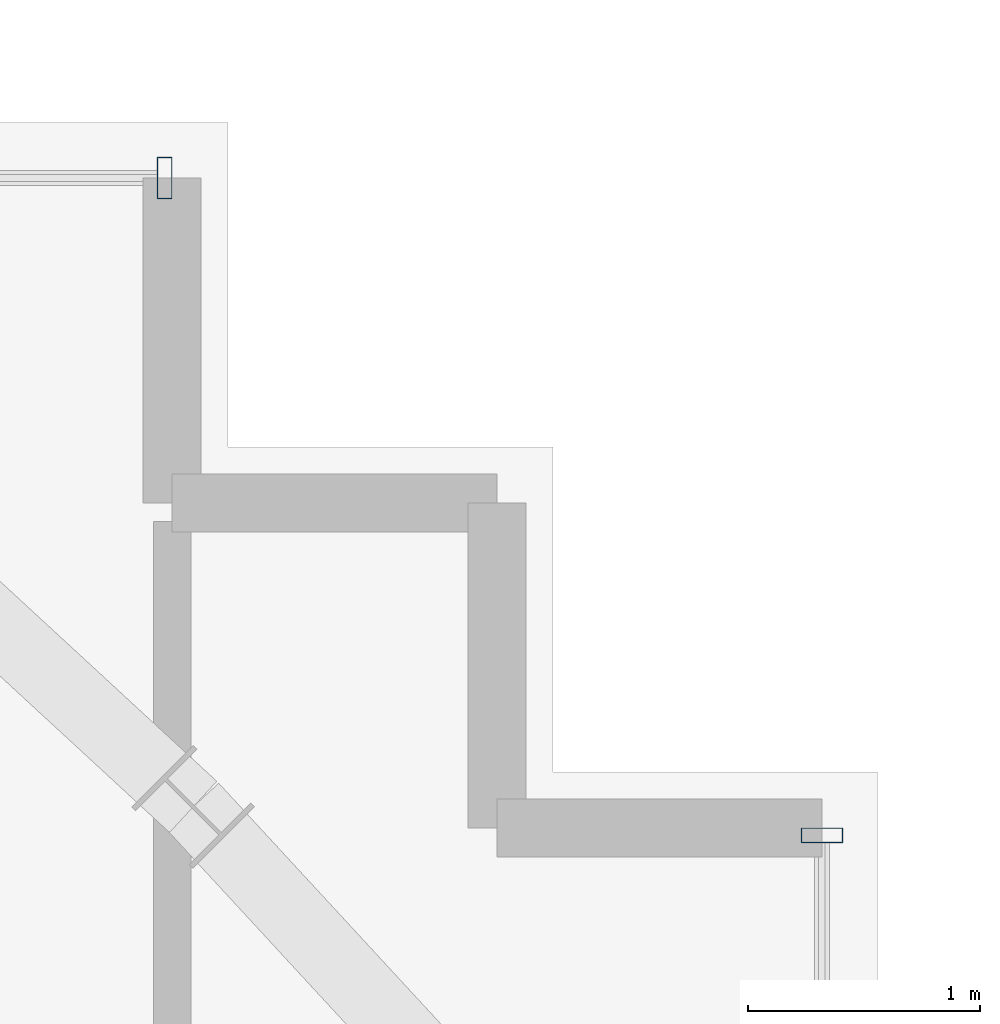
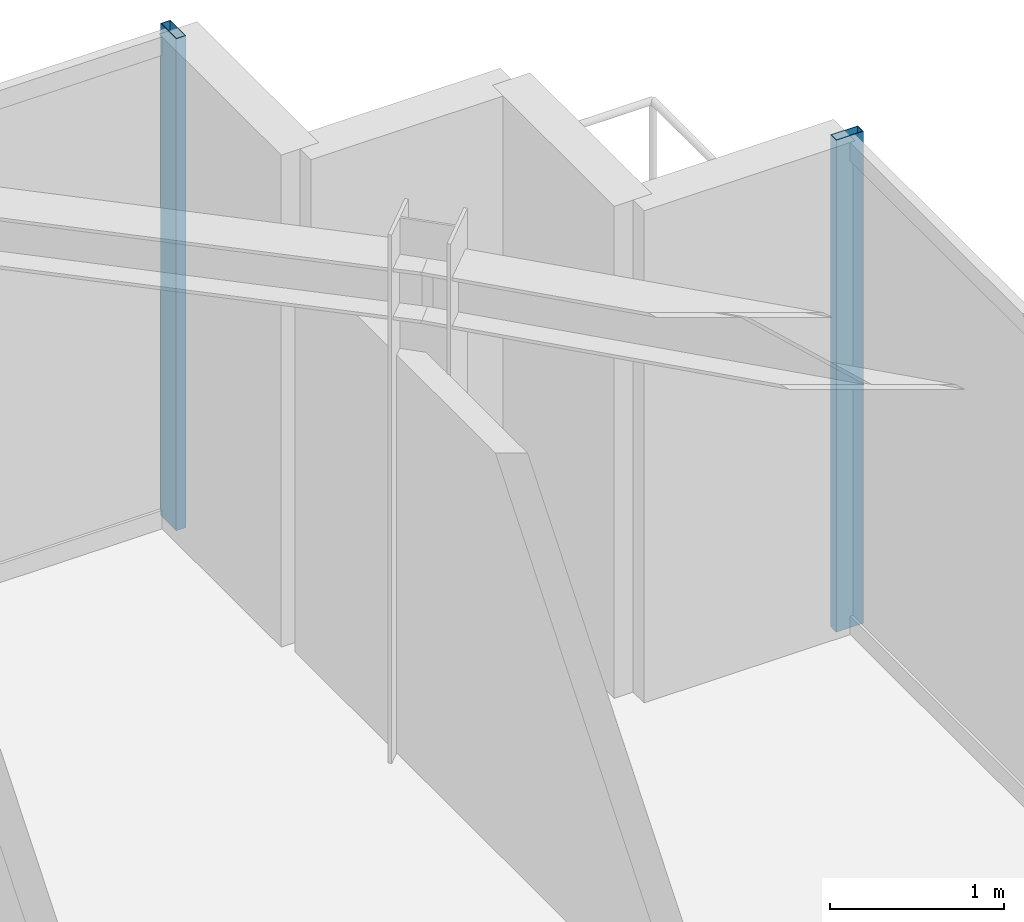
# One storey, part 22 of 32: 2 members, 2 elements without a shape of their own.
"""IFC4 building model written with IfcOpenShell, lengths in metres."""

from ifc_helpers import new_model, si_unit, direction, frame, origin, origin_2d, place, context, subcontext, project, spatial, hollow_rectangle, extrude, source, transform, mapped, material, material_profile, profile_set, type_object, element, aggregate, save


model = new_model("IFC4")

# Units and contexts
model_context = context("Model", 3, precision=1e-05, world=origin(), true_north=direction((0.0, 1.0)))
body_context = subcontext(model_context, "Body", "Model", "MODEL_VIEW")
ifc_project = project(units=[si_unit("LENGTHUNIT", "METRE"), si_unit("AREAUNIT", "SQUARE_METRE"), si_unit("VOLUMEUNIT", "CUBIC_METRE"), si_unit("PLANEANGLEUNIT", "RADIAN"), si_unit("MASSUNIT", "GRAM", prefix="KILO")], contexts=[model_context])

# Site, building, storey
site_placement = place(None, origin())
site = spatial("IfcSite", under=ifc_project, at=site_placement, CompositionType="ELEMENT")
building_placement = place(site_placement, origin())
building = spatial("IfcBuilding", under=site, at=building_placement, Name="Nahalor Promenade Grand Hotel", CompositionType="ELEMENT")
storey_placement = place(building_placement, frame((0.0, 0.0, 266.300048828125)))
storey = spatial("IfcBuildingStorey", under=building, at=storey_placement, Name="L68", CompositionType="ELEMENT", Elevation=266.300048828125)

# Curtain wall, member
ifc_material = material(Name="Anodised Bronze Aluminium EN AW-6063 T6", Category="aluminium")
curtain_wall_type = type_object("IfcCurtainWallType", Name="CW2 Typical Hotel Flush Bronze Unitised Curtain Wall", PredefinedType="USERDEFINED", material=ifc_material)
curtain_wall_1_placement = place(storey_placement, origin())
curtain_wall_1 = element("IfcCurtainWall", 1, at=curtain_wall_1_placement, inside=storey, type_object=curtain_wall_type, Name="L68 Curtain Wall CW-L68-N-3", ObjectType="UNITISED_CURTAIN_WALL", PredefinedType="USERDEFINED")
ifc_material_profile = material_profile(ifc_material, hollow_rectangle(XDim=0.065, YDim=0.18, WallThickness=0.004, at=origin_2d()), Name="CWM 65x180x4")
ifc_profile_set = profile_set([ifc_material_profile], Name="Anodised Bronze Aluminium EN AW-6063 T6")
member_type = type_object("IfcMemberType", Name="CWM2 Typical Bronze Mullion 65x180", PredefinedType="MULLION", material=ifc_profile_set)
shared_shape = source(origin(), body_context, "Body", "SweptSolid", [
    extrude(hollow_rectangle(XDim=0.065, YDim=0.18, WallThickness=0.004, at=origin_2d()), origin(), (0.0, 0.0, 1.0), 3.449951171875),
])
member_1_placement = place(storey_placement, frame((19.7275390625, 22.56005859375, 0.0), z_axis=(0.0, 0.0, 1.0), x_axis=(1.0, 0.0, 0.0)))
member_1 = element("IfcMember", 2, at=member_1_placement, type_object=member_type, Name="CW-L68-N-3 Mullion 2", PredefinedType="MULLION", context=body_context, shape_type="MappedRepresentation", body=[
    mapped(shared_shape, transform((0.0, 0.0, 0.0), scale=1.0)),
])
aggregate(curtain_wall_1, [member_1])

curtain_wall_2_placement = place(storey_placement, origin())
curtain_wall_2 = element("IfcCurtainWall", 3, at=curtain_wall_2_placement, inside=storey, type_object=curtain_wall_type, Name="L68 Curtain Wall CW-L68-E-3", ObjectType="UNITISED_CURTAIN_WALL", PredefinedType="USERDEFINED")
member_2_placement = place(storey_placement, frame((22.56005859375, 19.7275390625, 0.0), z_axis=(0.0, 0.0, 1.0), x_axis=(0.0, 1.0, 0.0)))
member_2 = element("IfcMember", 4, at=member_2_placement, type_object=member_type, Name="CW-L68-E-3 Mullion 2", PredefinedType="MULLION", context=body_context, shape_type="MappedRepresentation", body=[
    mapped(shared_shape, transform((0.0, 0.0, 0.0), scale=1.0)),
])
aggregate(curtain_wall_2, [member_2])

save(model, "model.ifc")
